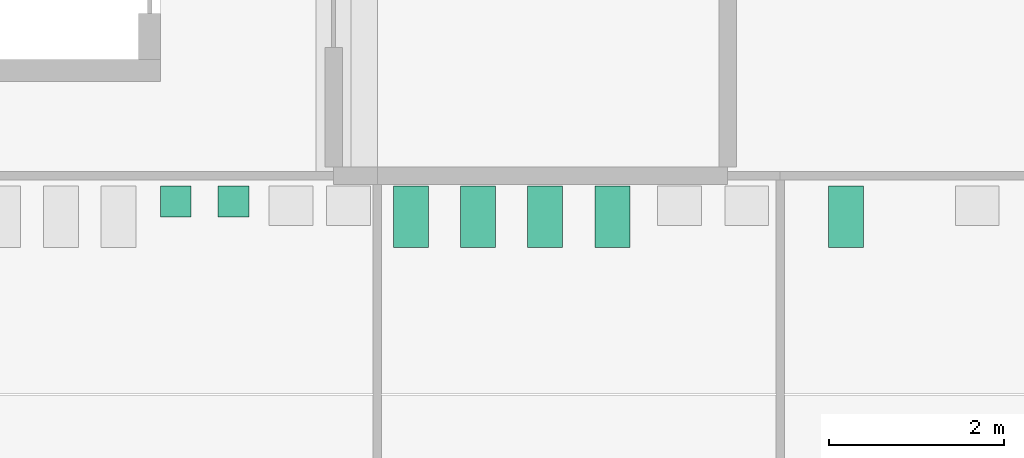
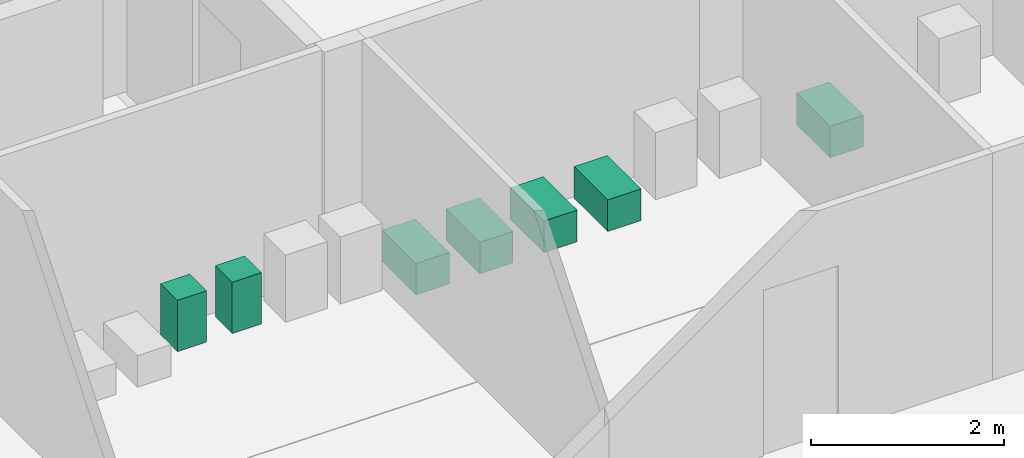
# One storey, part 70 of 71: 7 sanitary terminals.
"""IFC4 building model written with IfcOpenShell, lengths in metres."""

from ifc_helpers import new_model, si_unit, direction, frame, origin, origin_2d, place, context, subcontext, project, spatial, rectangle, extrude, material, type_object, element, save


model = new_model("IFC4")

# Units and contexts
model_context = context("Model", 3, precision=1e-05, world=origin(), true_north=direction((0.0, 1.0)))
body_context = subcontext(model_context, "Body", "Model", "MODEL_VIEW")
ifc_project = project(units=[si_unit("LENGTHUNIT", "METRE"), si_unit("AREAUNIT", "SQUARE_METRE"), si_unit("VOLUMEUNIT", "CUBIC_METRE"), si_unit("PLANEANGLEUNIT", "RADIAN"), si_unit("MASSUNIT", "GRAM", prefix="KILO")], contexts=[model_context])

# Site, building, storey
site_placement = place(None, origin())
site = spatial("IfcSite", under=ifc_project, at=site_placement, CompositionType="ELEMENT")
building_placement = place(site_placement, origin())
building = spatial("IfcBuilding", under=site, at=building_placement, Name="Cour d'Honneur Mobility Palace", CompositionType="ELEMENT")
storey_placement = place(building_placement, frame((0.0, 0.0, 15.60009765625)))
storey = spatial("IfcBuildingStorey", under=building, at=storey_placement, Name="L04", CompositionType="ELEMENT", Elevation=15.60009765625)

# Sanitary terminals
ifc_material_1 = material(Name="Vitreous china")
sanitary_terminal_type_1 = type_object("IfcSanitaryTerminalType", Name="Urinal", PredefinedType="URINAL", material=ifc_material_1)
for number, where, z_axis, x_axis, name in (
    (1, (4.5, 107.10498046875, 0.0), (0.0, 0.0, 1.0), (1.0, 0.0, 0.0), "Urinal WC Men West"),
    (2, (5.156982421875, 107.10498046875, 0.0), (0.0, 0.0, 1.0), (1.0, 0.0, 0.0), "Urinal WC Men West"),
):
    element("IfcSanitaryTerminal", number, at=place(storey_placement, frame(where, z_axis=z_axis, x_axis=x_axis)), inside=storey, type_object=sanitary_terminal_type_1, Name=name, PredefinedType="URINAL", context=body_context, shape_type="SweptSolid", body=[
        extrude(rectangle(XDim=0.35009765625, YDim=0.35009765625, at=origin_2d()), origin(), (0.0, 0.0, 1.0), 0.64990234375),
    ])
ifc_material_2 = material(Name="Vitreous china")
sanitary_terminal_type_2 = type_object("IfcSanitaryTerminalType", Name="Water closet", PredefinedType="WCSEAT", material=ifc_material_2)
for number, where, z_axis, x_axis, name in (
    (3, (7.183349609375, 106.929931640625, 0.0), (0.0, 0.0, 1.0), (1.0, 0.0, 0.0), "Water closet WC Women West"),
    (4, (7.949951171875, 106.929931640625, 0.0), (0.0, 0.0, 1.0), (1.0, 0.0, 0.0), "Water closet WC Women West"),
    (5, (8.716796875, 106.929931640625, 0.0), (0.0, 0.0, 1.0), (1.0, 0.0, 0.0), "Water closet WC Women West"),
    (6, (9.4833984375, 106.929931640625, 0.0), (0.0, 0.0, 1.0), (1.0, 0.0, 0.0), "Water closet WC Women West"),
    (7, (12.14990234375, 106.929931640625, 0.0), (0.0, 0.0, 1.0), (1.0, 0.0, 0.0), "Water closet Accessible WC West"),
):
    element("IfcSanitaryTerminal", number, at=place(storey_placement, frame(where, z_axis=z_axis, x_axis=x_axis)), inside=storey, type_object=sanitary_terminal_type_2, Name=name, PredefinedType="WCSEAT", context=body_context, shape_type="SweptSolid", body=[
        extrude(rectangle(XDim=0.39990234375, YDim=0.699951171875, at=origin_2d()), origin(), (0.0, 0.0, 1.0), 0.39990234375),
    ])

save(model, "model.ifc")
